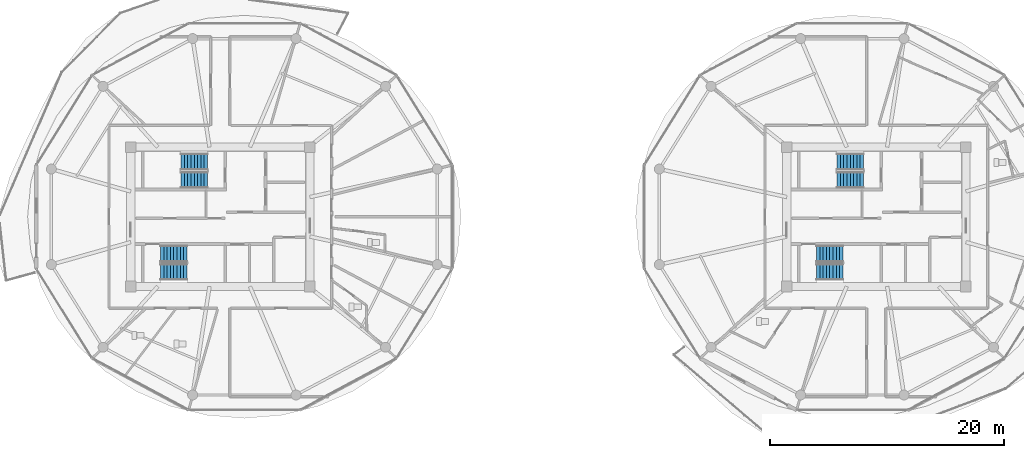
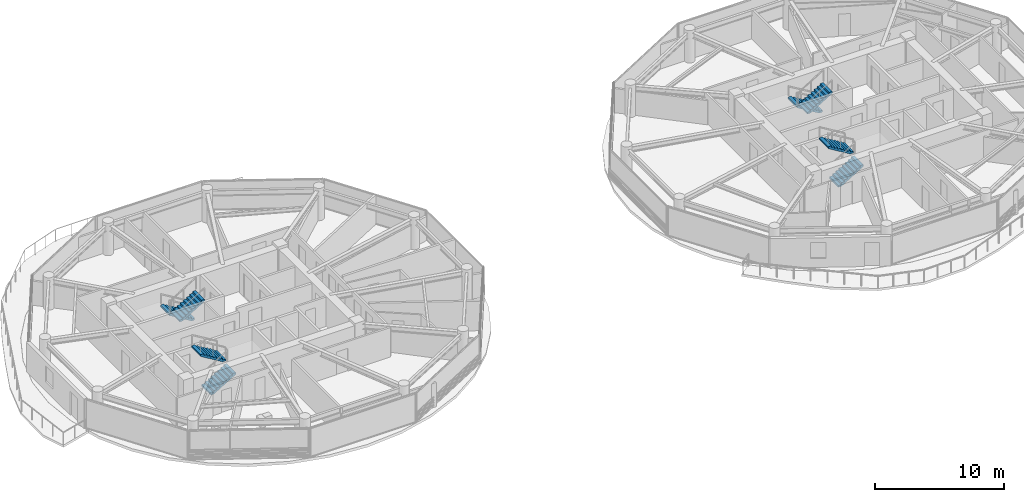
# One storey, part 18 of 25: 8 stair flights, 4 elements without a shape of their own.
"""IFC4 building model written with IfcOpenShell, lengths in metres."""

from ifc_helpers import new_model, si_unit, direction, frame, origin, place, context, subcontext, project, spatial, polyline, outline, extrude, material, type_object, element, aggregate, save


model = new_model("IFC4")

# Units and contexts
model_context = context("Model", 3, precision=1e-05, world=origin(), true_north=direction((0.0, 1.0)))
body_context = subcontext(model_context, "Body", "Model", "MODEL_VIEW")
ifc_project = project(units=[si_unit("LENGTHUNIT", "METRE"), si_unit("AREAUNIT", "SQUARE_METRE"), si_unit("VOLUMEUNIT", "CUBIC_METRE"), si_unit("PLANEANGLEUNIT", "RADIAN"), si_unit("MASSUNIT", "GRAM", prefix="KILO")], contexts=[model_context])

# Site, building, storey
site_placement = place(None, origin())
site = spatial("IfcSite", under=ifc_project, at=site_placement, CompositionType="ELEMENT")
building_placement = place(site_placement, origin())
building = spatial("IfcBuilding", under=site, at=building_placement, Name="Norrkilde Senior Care Towers", CompositionType="ELEMENT")
storey_placement = place(building_placement, frame((0.0, 0.0, 84.050048828125)))
storey = spatial("IfcBuildingStorey", under=building, at=storey_placement, Name="L25", CompositionType="ELEMENT", Elevation=84.050048828125)

# Stair, stair flights
ifc_material = material(Name="Concrete C45/55", Category="concrete")
stair_type = type_object("IfcStairType", Name="Core Protected Dogleg Stair Typical 3050", PredefinedType="HALF_TURN_STAIR", material=ifc_material)
stair_1_placement = place(storey_placement, origin())
stair_1 = element("IfcStair", 1, at=stair_1_placement, inside=storey, type_object=stair_type, Name="L25 Protected Core Stair W1", PredefinedType="HALF_TURN_STAIR")
stair_flight_type = type_object("IfcStairFlightType", Name="Core Protected Dogleg Stair Typical 3050 Flight", PredefinedType="STRAIGHT", material=ifc_material)
stair_flight_1_placement = place(storey_placement, frame((-29.10009765625, 4.699951171875, 0.0), z_axis=(0.0, 0.0, 1.0), x_axis=(-1.0, 0.0, 0.0)))
stair_flight_1 = element("IfcStairFlight", 2, at=stair_flight_1_placement, type_object=stair_flight_type, Name="ST-W1 flight 1", NumberOfRisers=9, NumberOfTreads=8, PredefinedType="STRAIGHT", RiserHeight=0.169444444, TreadLength=0.28, context=body_context, shape_type="SweptSolid", body=[
    extrude(outline(polyline([(0.0, 0.0), (0.0, 0.16943359375), (0.280029296875, 0.16943359375), (0.280029296875, 0.3388671875), (0.56005859375, 0.3388671875), (0.56005859375, 0.50830078125), (0.840087890625, 0.50830078125), (0.840087890625, 0.677734375), (1.1201171875, 0.677734375), (1.1201171875, 0.84716796875), (1.39990234375, 0.84716796875), (1.39990234375, 1.0166015625), (1.679931640625, 1.0166015625), (1.679931640625, 1.18603515625), (1.9599609375, 1.18603515625), (1.9599609375, 1.35546875), (2.239990234375, 1.35546875), (2.239990234375, 1.52490234375), (2.239990234375, 1.180419921875), (0.28955078125, 0.0), (0.0, 0.0)])), frame((0.0, 0.699951171875, 0.0), z_axis=(0.0, -1.0, 0.0), x_axis=(1.0, 0.0, 0.0)), (0.0, 0.0, 1.0), 1.39990234375),
])
stair_flight_2_placement = place(storey_placement, frame((-31.340087890625, 3.14990234375, 1.52490234375), z_axis=(0.0, 0.0, 1.0), x_axis=(1.0, 0.0, 0.0)))
stair_flight_2 = element("IfcStairFlight", 3, at=stair_flight_2_placement, type_object=stair_flight_type, Name="ST-W1 flight 2", NumberOfRisers=9, NumberOfTreads=8, PredefinedType="STRAIGHT", RiserHeight=0.169444444, TreadLength=0.28, context=body_context, shape_type="SweptSolid", body=[
    extrude(outline(polyline([(0.0, 0.0), (0.0, 0.16943359375), (0.280029296875, 0.16943359375), (0.280029296875, 0.3388671875), (0.56005859375, 0.3388671875), (0.56005859375, 0.50830078125), (0.840087890625, 0.50830078125), (0.840087890625, 0.677734375), (1.1201171875, 0.677734375), (1.1201171875, 0.84716796875), (1.39990234375, 0.84716796875), (1.39990234375, 1.0166015625), (1.679931640625, 1.0166015625), (1.679931640625, 1.18603515625), (1.9599609375, 1.18603515625), (1.9599609375, 1.35546875), (2.239990234375, 1.35546875), (2.239990234375, 1.52490234375), (2.239990234375, 1.180419921875), (0.28955078125, 0.0), (0.0, 0.0)])), frame((0.0, 0.699951171875, 0.0), z_axis=(0.0, -1.0, 0.0), x_axis=(1.0, 0.0, 0.0)), (0.0, 0.0, 1.0), 1.39990234375),
])
aggregate(stair_1, [stair_flight_1, stair_flight_2])

stair_2_placement = place(storey_placement, origin())
stair_2 = element("IfcStair", 4, at=stair_2_placement, inside=storey, type_object=stair_type, Name="L25 Protected Core Stair W2", PredefinedType="HALF_TURN_STAIR")
stair_flight_3_placement = place(storey_placement, frame((-33.10009765625, -4.699951171875, 0.0), z_axis=(0.0, 0.0, 1.0), x_axis=(1.0, 0.0, 0.0)))
stair_flight_3 = element("IfcStairFlight", 5, at=stair_flight_3_placement, type_object=stair_flight_type, Name="ST-W2 flight 1", NumberOfRisers=9, NumberOfTreads=8, PredefinedType="STRAIGHT", RiserHeight=0.169444444, TreadLength=0.28, context=body_context, shape_type="SweptSolid", body=[
    extrude(outline(polyline([(0.0, 0.0), (0.0, 0.16943359375), (0.280029296875, 0.16943359375), (0.280029296875, 0.3388671875), (0.56005859375, 0.3388671875), (0.56005859375, 0.50830078125), (0.840087890625, 0.50830078125), (0.840087890625, 0.677734375), (1.1201171875, 0.677734375), (1.1201171875, 0.84716796875), (1.39990234375, 0.84716796875), (1.39990234375, 1.0166015625), (1.679931640625, 1.0166015625), (1.679931640625, 1.18603515625), (1.9599609375, 1.18603515625), (1.9599609375, 1.35546875), (2.239990234375, 1.35546875), (2.239990234375, 1.52490234375), (2.239990234375, 1.180419921875), (0.28955078125, 0.0), (0.0, 0.0)])), frame((0.0, 0.699951171875, 0.0), z_axis=(0.0, -1.0, 0.0), x_axis=(1.0, 0.0, 0.0)), (0.0, 0.0, 1.0), 1.39990234375),
])
stair_flight_4_placement = place(storey_placement, frame((-30.860107421875, -3.14990234375, 1.52490234375), z_axis=(0.0, 0.0, 1.0), x_axis=(-1.0, 0.0, 0.0)))
stair_flight_4 = element("IfcStairFlight", 6, at=stair_flight_4_placement, type_object=stair_flight_type, Name="ST-W2 flight 2", NumberOfRisers=9, NumberOfTreads=8, PredefinedType="STRAIGHT", RiserHeight=0.169444444, TreadLength=0.28, context=body_context, shape_type="SweptSolid", body=[
    extrude(outline(polyline([(0.0, 0.0), (0.0, 0.16943359375), (0.280029296875, 0.16943359375), (0.280029296875, 0.3388671875), (0.56005859375, 0.3388671875), (0.56005859375, 0.50830078125), (0.840087890625, 0.50830078125), (0.840087890625, 0.677734375), (1.1201171875, 0.677734375), (1.1201171875, 0.84716796875), (1.39990234375, 0.84716796875), (1.39990234375, 1.0166015625), (1.679931640625, 1.0166015625), (1.679931640625, 1.18603515625), (1.9599609375, 1.18603515625), (1.9599609375, 1.35546875), (2.239990234375, 1.35546875), (2.239990234375, 1.52490234375), (2.239990234375, 1.180419921875), (0.28955078125, 0.0), (0.0, 0.0)])), frame((0.0, 0.699951171875, 0.0), z_axis=(0.0, -1.0, 0.0), x_axis=(1.0, 0.0, 0.0)), (0.0, 0.0, 1.0), 1.39990234375),
])
aggregate(stair_2, [stair_flight_3, stair_flight_4])

stair_3_placement = place(storey_placement, origin())
stair_3 = element("IfcStair", 7, at=stair_3_placement, inside=storey, type_object=stair_type, Name="L25 Protected Core Stair E1", PredefinedType="HALF_TURN_STAIR")
stair_flight_5_placement = place(storey_placement, frame((26.89990234375, 4.699951171875, 0.0), z_axis=(0.0, 0.0, 1.0), x_axis=(-1.0, 0.0, 0.0)))
stair_flight_5 = element("IfcStairFlight", 8, at=stair_flight_5_placement, type_object=stair_flight_type, Name="ST-E1 flight 1", NumberOfRisers=9, NumberOfTreads=8, PredefinedType="STRAIGHT", RiserHeight=0.169444444, TreadLength=0.28, context=body_context, shape_type="SweptSolid", body=[
    extrude(outline(polyline([(0.0, 0.0), (0.0, 0.16943359375), (0.280029296875, 0.16943359375), (0.280029296875, 0.3388671875), (0.56005859375, 0.3388671875), (0.56005859375, 0.50830078125), (0.840087890625, 0.50830078125), (0.840087890625, 0.677734375), (1.1201171875, 0.677734375), (1.1201171875, 0.84716796875), (1.39990234375, 0.84716796875), (1.39990234375, 1.0166015625), (1.679931640625, 1.0166015625), (1.679931640625, 1.18603515625), (1.9599609375, 1.18603515625), (1.9599609375, 1.35546875), (2.239990234375, 1.35546875), (2.239990234375, 1.52490234375), (2.239990234375, 1.180419921875), (0.28955078125, 0.0), (0.0, 0.0)])), frame((0.0, 0.699951171875, 0.0), z_axis=(0.0, -1.0, 0.0), x_axis=(1.0, 0.0, 0.0)), (0.0, 0.0, 1.0), 1.39990234375),
])
stair_flight_6_placement = place(storey_placement, frame((24.659912109375, 3.14990234375, 1.52490234375), z_axis=(0.0, 0.0, 1.0), x_axis=(1.0, 0.0, 0.0)))
stair_flight_6 = element("IfcStairFlight", 9, at=stair_flight_6_placement, type_object=stair_flight_type, Name="ST-E1 flight 2", NumberOfRisers=9, NumberOfTreads=8, PredefinedType="STRAIGHT", RiserHeight=0.169444444, TreadLength=0.28, context=body_context, shape_type="SweptSolid", body=[
    extrude(outline(polyline([(0.0, 0.0), (0.0, 0.16943359375), (0.280029296875, 0.16943359375), (0.280029296875, 0.3388671875), (0.56005859375, 0.3388671875), (0.56005859375, 0.50830078125), (0.840087890625, 0.50830078125), (0.840087890625, 0.677734375), (1.1201171875, 0.677734375), (1.1201171875, 0.84716796875), (1.39990234375, 0.84716796875), (1.39990234375, 1.0166015625), (1.679931640625, 1.0166015625), (1.679931640625, 1.18603515625), (1.9599609375, 1.18603515625), (1.9599609375, 1.35546875), (2.239990234375, 1.35546875), (2.239990234375, 1.52490234375), (2.239990234375, 1.180419921875), (0.28955078125, 0.0), (0.0, 0.0)])), frame((0.0, 0.699951171875, 0.0), z_axis=(0.0, -1.0, 0.0), x_axis=(1.0, 0.0, 0.0)), (0.0, 0.0, 1.0), 1.39990234375),
])
aggregate(stair_3, [stair_flight_5, stair_flight_6])

stair_4_placement = place(storey_placement, origin())
stair_4 = element("IfcStair", 10, at=stair_4_placement, inside=storey, type_object=stair_type, Name="L25 Protected Core Stair E2", PredefinedType="HALF_TURN_STAIR")
stair_flight_7_placement = place(storey_placement, frame((22.89990234375, -4.699951171875, 0.0), z_axis=(0.0, 0.0, 1.0), x_axis=(1.0, 0.0, 0.0)))
stair_flight_7 = element("IfcStairFlight", 11, at=stair_flight_7_placement, type_object=stair_flight_type, Name="ST-E2 flight 1", NumberOfRisers=9, NumberOfTreads=8, PredefinedType="STRAIGHT", RiserHeight=0.169444444, TreadLength=0.28, context=body_context, shape_type="SweptSolid", body=[
    extrude(outline(polyline([(0.0, 0.0), (0.0, 0.16943359375), (0.280029296875, 0.16943359375), (0.280029296875, 0.3388671875), (0.56005859375, 0.3388671875), (0.56005859375, 0.50830078125), (0.840087890625, 0.50830078125), (0.840087890625, 0.677734375), (1.1201171875, 0.677734375), (1.1201171875, 0.84716796875), (1.39990234375, 0.84716796875), (1.39990234375, 1.0166015625), (1.679931640625, 1.0166015625), (1.679931640625, 1.18603515625), (1.9599609375, 1.18603515625), (1.9599609375, 1.35546875), (2.239990234375, 1.35546875), (2.239990234375, 1.52490234375), (2.239990234375, 1.180419921875), (0.28955078125, 0.0), (0.0, 0.0)])), frame((0.0, 0.699951171875, 0.0), z_axis=(0.0, -1.0, 0.0), x_axis=(1.0, 0.0, 0.0)), (0.0, 0.0, 1.0), 1.39990234375),
])
stair_flight_8_placement = place(storey_placement, frame((25.139892578125, -3.14990234375, 1.52490234375), z_axis=(0.0, 0.0, 1.0), x_axis=(-1.0, 0.0, 0.0)))
stair_flight_8 = element("IfcStairFlight", 12, at=stair_flight_8_placement, type_object=stair_flight_type, Name="ST-E2 flight 2", NumberOfRisers=9, NumberOfTreads=8, PredefinedType="STRAIGHT", RiserHeight=0.169444444, TreadLength=0.28, context=body_context, shape_type="SweptSolid", body=[
    extrude(outline(polyline([(0.0, 0.0), (0.0, 0.16943359375), (0.280029296875, 0.16943359375), (0.280029296875, 0.3388671875), (0.56005859375, 0.3388671875), (0.56005859375, 0.50830078125), (0.840087890625, 0.50830078125), (0.840087890625, 0.677734375), (1.1201171875, 0.677734375), (1.1201171875, 0.84716796875), (1.39990234375, 0.84716796875), (1.39990234375, 1.0166015625), (1.679931640625, 1.0166015625), (1.679931640625, 1.18603515625), (1.9599609375, 1.18603515625), (1.9599609375, 1.35546875), (2.239990234375, 1.35546875), (2.239990234375, 1.52490234375), (2.239990234375, 1.180419921875), (0.28955078125, 0.0), (0.0, 0.0)])), frame((0.0, 0.699951171875, 0.0), z_axis=(0.0, -1.0, 0.0), x_axis=(1.0, 0.0, 0.0)), (0.0, 0.0, 1.0), 1.39990234375),
])
aggregate(stair_4, [stair_flight_7, stair_flight_8])

save(model, "model.ifc")
